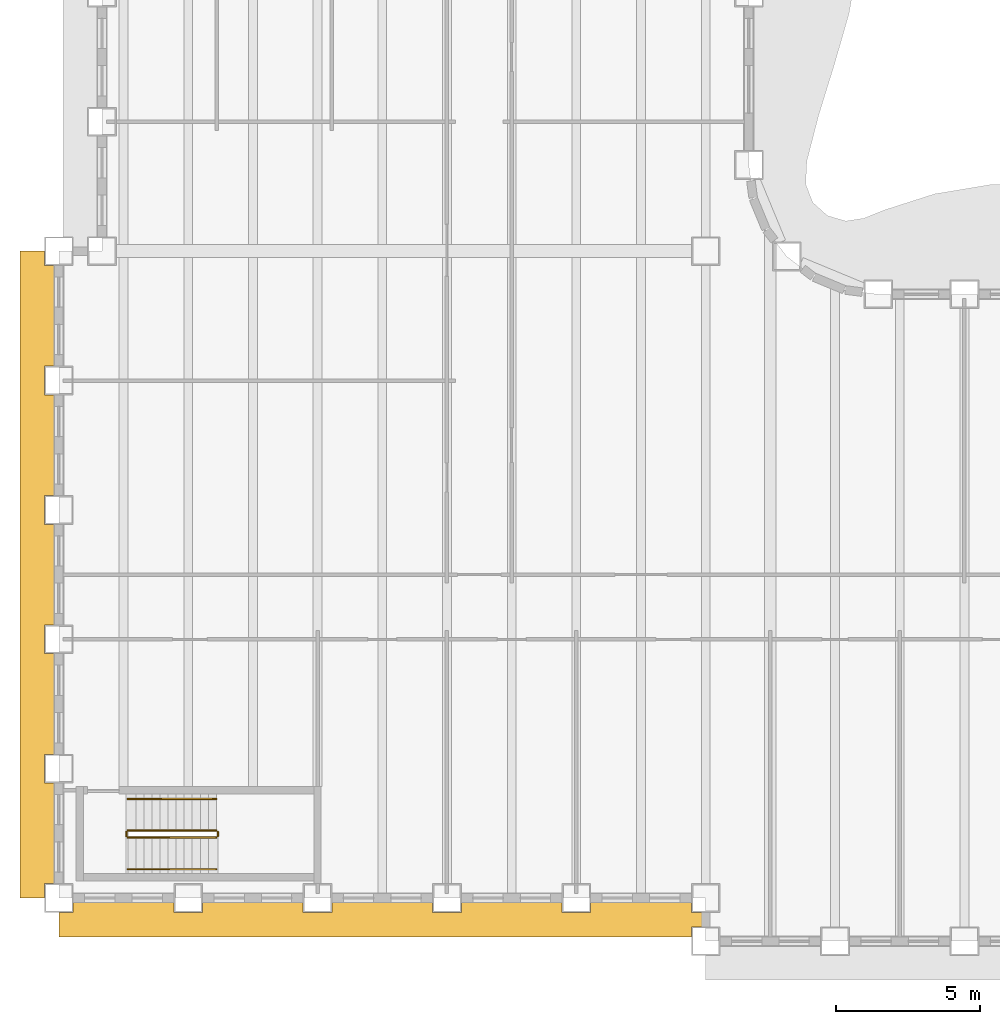
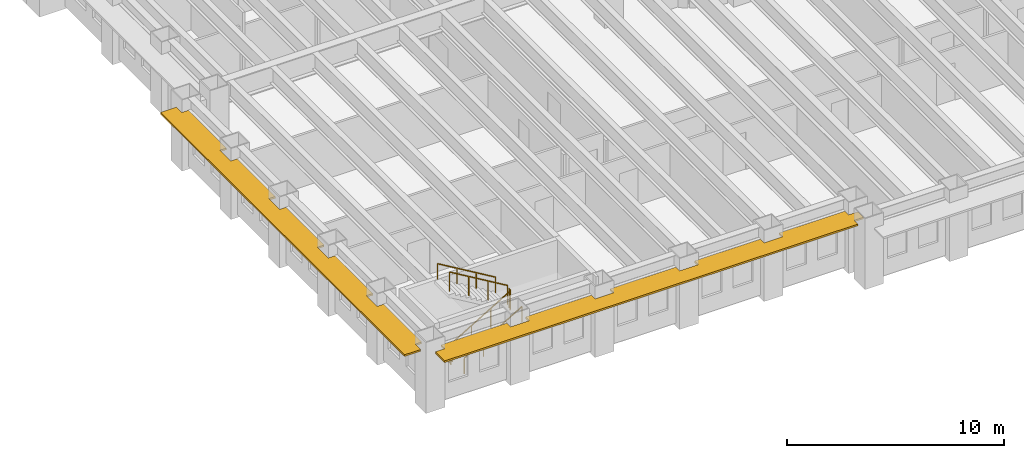
# One storey, part 11 of 16: 6 railings, 2 shading devices.
"""IFC4 building model written with IfcOpenShell, lengths in metres."""

import ifcopenshell
import ifcopenshell.guid

model = None  # the IFC model being written
_history = None  # IfcOwnerHistory: only IFC2X3 demands one
_inside = {}  # id of a spatial element -> (the spatial element, [elements in it])
_under = {}  # id of a project, library or spatial element -> (it, [spatial elements below it])
_declared = {}  # id of a project -> (the project, [libraries it declares])
_typed = {}  # id of a type object -> (the type object, [elements of that type])
_made_of = {}  # id of a material, layer set ... -> (it, [elements and type objects made of it])


def new_model(schema):
    """Start an empty IFC model of exactly this schema.

    Asked for "IFC4X3", IfcOpenShell would pick the latest addendum, in which some entities
    have other attributes; the version numbers below select the first issue.
    IFC2X3 requires an IfcOwnerHistory on every rooted entity: one is made here for all.
    """
    global model, _history
    if schema == "IFC4X3":
        model = ifcopenshell.file(schema_version=(4, 3, 0, 0))
    else:
        model = ifcopenshell.file(schema=schema)
    _inside.clear()
    _under.clear()
    _declared.clear()
    _typed.clear()
    _made_of.clear()
    _history = None
    if model.schema == "IFC2X3":
        org = make("IfcOrganization", Name="unknown")
        user = make(
            "IfcPersonAndOrganization",
            ThePerson=make("IfcPerson", FamilyName="unknown"),
            TheOrganization=org,
        )
        app = make(
            "IfcApplication",
            ApplicationDeveloper=org,
            Version="unknown",
            ApplicationFullName="unknown",
            ApplicationIdentifier="unknown",
        )
        _history = make(
            "IfcOwnerHistory",
            OwningUser=user,
            OwningApplication=app,
            ChangeAction="ADDED",
            CreationDate=0,
        )
    return model


def make(cls, **values):
    """One entity of the class cls with the attributes given. An attribute that is None is left unset."""
    return model.create_entity(
        cls, **{name: value for name, value in values.items() if value is not None}
    )


def rooted(cls, **values):
    """An entity with a GlobalId (a new one), such as an element, a storey or a relation."""
    return make(cls, GlobalId=ifcopenshell.guid.new(), OwnerHistory=_history, **values)


def si_unit(unit_type, name, prefix=None):
    """IfcSIUnit, for example si_unit("LENGTHUNIT", "METRE", prefix="MILLI")."""
    return make("IfcSIUnit", UnitType=unit_type, Prefix=prefix, Name=name)


def assignment(units):
    """IfcUnitAssignment: the units of a project."""
    return None if units is None else make("IfcUnitAssignment", Units=units)


def point(xyz):
    """IfcCartesianPoint."""
    return None if xyz is None else make("IfcCartesianPoint", Coordinates=xyz)


def direction(xyz):
    """IfcDirection."""
    return None if xyz is None else make("IfcDirection", DirectionRatios=xyz)


def frame(location, z_axis=None, x_axis=None):
    """IfcAxis2Placement3D, a coordinate frame: its origin and axes. An axis left out is left unset."""
    return make(
        "IfcAxis2Placement3D",
        Location=point(location),
        Axis=direction(z_axis),
        RefDirection=direction(x_axis),
    )


def frame_2d(location, x_axis=None):
    """IfcAxis2Placement2D, a coordinate frame in the plane: its origin and x axis."""
    return make(
        "IfcAxis2Placement2D", Location=point(location), RefDirection=direction(x_axis)
    )


def origin():
    """The frame at (0, 0, 0) with its axes left unset."""
    return frame((0.0, 0.0, 0.0))


def origin_2d():
    """The frame at (0, 0) in the plane with its x axis left unset."""
    return frame_2d((0.0, 0.0))


def place(relative_to, where):
    """IfcLocalPlacement: puts the frame where relative to a parent placement (None: the world)."""
    return make(
        "IfcLocalPlacement", PlacementRelTo=relative_to, RelativePlacement=where
    )


def context(
    kind, dimensions, precision=None, world=None, true_north=None, identifier=None
):
    """IfcGeometricRepresentationContext, for example the 3D "Model" context."""
    return make(
        "IfcGeometricRepresentationContext",
        ContextIdentifier=identifier,
        ContextType=kind,
        CoordinateSpaceDimension=dimensions,
        Precision=precision,
        WorldCoordinateSystem=world,
        TrueNorth=true_north,
    )


def subcontext(parent, identifier, kind, view, scale=None):
    """IfcGeometricRepresentationSubContext, for example "Body" below "Model"."""
    return make(
        "IfcGeometricRepresentationSubContext",
        ContextIdentifier=identifier,
        ContextType=kind,
        ParentContext=parent,
        TargetScale=scale,
        TargetView=view,
    )


def project(units=None, contexts=None):
    """IfcProject with its units and contexts."""
    return rooted(
        "IfcProject",
        Name="project",
        RepresentationContexts=contexts,
        UnitsInContext=assignment(units),
    )


def spatial(cls, under=None, at=None, **own):
    """A site, building, storey or space (cls), placed at a placement, below another one or the project."""
    s = rooted(cls, ObjectPlacement=at, **own)
    if under is not None:
        _under.setdefault(under.id(), (under, []))[1].append(s)
    return s


def polyline(points):
    """IfcPolyline through the points."""
    return make("IfcPolyline", Points=[point(p) for p in points])


def profile(cls, at=None, kind="AREA", **sizes):
    """A parametric profile (cls). Its sizes go by their IFC names, for example OverallWidth=200.0."""
    return make(cls, ProfileType=kind, Position=at, **sizes)


def rectangle(**sizes):
    """IfcRectangleProfileDef."""
    return profile("IfcRectangleProfileDef", **sizes)


def outline(outer, holes=None, kind="AREA"):
    """IfcArbitraryClosedProfileDef: a profile drawn as a closed curve; with holes, ...WithVoids."""
    if holes is None:
        return make("IfcArbitraryClosedProfileDef", ProfileType=kind, OuterCurve=outer)
    return make(
        "IfcArbitraryProfileDefWithVoids",
        ProfileType=kind,
        OuterCurve=outer,
        InnerCurves=holes,
    )


def extrude(swept, where, along, depth):
    """IfcExtrudedAreaSolid: the profile swept, set in the frame where, extruded along a direction by depth."""
    return make(
        "IfcExtrudedAreaSolid",
        SweptArea=swept,
        Position=where,
        ExtrudedDirection=direction(along),
        Depth=depth,
    )


def shape(context_of_items, identifier, shape_type, items):
    """IfcShapeRepresentation: the items that make up one representation, for example the "Body"."""
    return make(
        "IfcShapeRepresentation",
        ContextOfItems=context_of_items,
        RepresentationIdentifier=identifier,
        RepresentationType=shape_type,
        Items=items,
    )


def material(Name=None, Category=None):
    """IfcMaterial."""
    return make("IfcMaterial", Name=Name, Category=Category)


def layer(
    of_material, thickness, ventilated=None, Name=None, Category=None, Priority=None
):
    """IfcMaterialLayer: one layer of a wall or slab, of a material (None: an air gap)."""
    return make(
        "IfcMaterialLayer",
        Material=of_material,
        LayerThickness=thickness,
        IsVentilated=ventilated,
        Name=Name,
        Category=Category,
        Priority=Priority,
    )


def layer_set(layers, Name=None):
    """IfcMaterialLayerSet."""
    return make("IfcMaterialLayerSet", MaterialLayers=layers, LayerSetName=Name)


def made_of(thing, what):
    """Note that an element or type object is made of a material, layer set ...; save() writes the relation."""
    if what is not None:
        _made_of.setdefault(what.id(), (what, []))[1].append(thing)
    return thing


def type_object(cls, material=None, **own):
    """A type object (cls), such as IfcWallType, which elements share."""
    return made_of(rooted(cls, **own), material)


def element(
    cls,
    number,
    at=None,
    inside=None,
    cuts=None,
    type_object=None,
    material=None,
    context=None,
    identifier="Body",
    shape_type=None,
    held_by="IfcProductDefinitionShape",
    body=None,
    shapes=None,
    **own,
):
    """One element of the class cls, such as IfcWall. Its Tag is "e" and its number.

    at: its placement. inside: the storey or other place that contains it. cuts: it is an
    opening in that element (IfcRelVoidsElement). A single representation is given by context,
    identifier, shape_type and body (its items); several are given by shapes. held_by: the class
    of the entity that holds the representations. save() writes the other relations.
    """
    e = rooted(cls, Tag="e%d" % number, ObjectPlacement=at, **own)
    if body is not None:
        shapes = [shape(context, identifier, shape_type, body)]
    if shapes is not None:
        e.Representation = make(held_by, Representations=shapes)
    if inside is not None:
        _inside.setdefault(inside.id(), (inside, []))[1].append(e)
    if cuts is not None:
        rooted(
            "IfcRelVoidsElement", RelatingBuildingElement=cuts, RelatedOpeningElement=e
        )
    if type_object is not None:
        _typed.setdefault(type_object.id(), (type_object, []))[1].append(e)
    return made_of(e, material)


def aggregate(whole, parts):
    """IfcRelAggregates: a whole, such as a stair, and the parts it consists of."""
    return rooted("IfcRelAggregates", RelatingObject=whole, RelatedObjects=parts)


def save(model, path):
    """Write the relations noted so far, then the file.

    IfcRelAggregates (storeys below a building ...), IfcRelContainedInSpatialStructure (elements
    in a storey), IfcRelDefinesByType, IfcRelAssociatesMaterial and IfcRelDeclares: one each for
    every whole, place, type object, material and project.
    """
    for whole, parts in _under.values():
        aggregate(whole, parts)
    for where, things in _inside.values():
        rooted(
            "IfcRelContainedInSpatialStructure",
            RelatedElements=things,
            RelatingStructure=where,
        )
    for kind, things in _typed.values():
        rooted("IfcRelDefinesByType", RelatedObjects=things, RelatingType=kind)
    for what, things in _made_of.values():
        rooted("IfcRelAssociatesMaterial", RelatedObjects=things, RelatingMaterial=what)
    for by, libraries in _declared.values():
        rooted("IfcRelDeclares", RelatingContext=by, RelatedDefinitions=libraries)
    model.write(path)


model = new_model("IFC4")

# Units and contexts
model_context = context("Model", 3, precision=1e-05, world=origin(), true_north=direction((0.0, 1.0)))
body_context = subcontext(model_context, "Body", "Model", "MODEL_VIEW")
ifc_project = project(units=[si_unit("LENGTHUNIT", "METRE"), si_unit("AREAUNIT", "SQUARE_METRE"), si_unit("VOLUMEUNIT", "CUBIC_METRE"), si_unit("PLANEANGLEUNIT", "RADIAN"), si_unit("MASSUNIT", "GRAM", prefix="KILO")], contexts=[model_context])

# Site, building, storey
site_placement = place(None, origin())
site = spatial("IfcSite", under=ifc_project, at=site_placement, CompositionType="ELEMENT")
building_placement = place(site_placement, origin())
building = spatial("IfcBuilding", under=site, at=building_placement, Name="Sennacour Bend Tower", CompositionType="ELEMENT")
storey_placement = place(building_placement, frame((0.0, 0.0, 115.0)))
storey = spatial("IfcBuildingStorey", under=building, at=storey_placement, Name="L26", CompositionType="ELEMENT", Elevation=115.0)

# Railings
ifc_material_1 = material(Name="Stainless steel", Category="steel")
railing_type_1 = type_object("IfcRailingType", Name="RL-GUARD-1100", PredefinedType="GUARDRAIL", material=ifc_material_1)
railing_1_placement = place(storey_placement, frame((2.39990234375, 2.10009765625, 0.166748046875)))
element("IfcRailing", 1, at=railing_1_placement, inside=storey, type_object=railing_type_1, Name="L26 SK1 stair guard 1", PredefinedType="GUARDRAIL", context=body_context, shape_type="SweptSolid", body=[
    extrude(rectangle(XDim=0.048095703125, YDim=0.048095703125, at=origin_2d()), frame((0.0, 0.0, 1.076171875), z_axis=(0.859308565015, 0.0, 0.511457515432), x_axis=(0.0, 1.0, 0.0)), (0.0, 0.0, 1.0), 3.58447265625),
    extrude(rectangle(XDim=0.0419921875, YDim=0.0419921875, at=origin_2d()), origin(), (0.0, 0.0, 1.0), 1.052001953125),
    extrude(rectangle(XDim=0.0419921875, YDim=0.0419921875, at=origin_2d()), frame((1.026611328125, 0.0, 0.611083984375)), (0.0, 0.0, 1.0), 1.052001953125),
    extrude(rectangle(XDim=0.0419921875, YDim=0.0419921875, at=origin_2d()), frame((2.053466796875, 0.0, 1.22216796875)), (0.0, 0.0, 1.0), 1.052001953125),
    extrude(rectangle(XDim=0.0419921875, YDim=0.0419921875, at=origin_2d()), frame((3.080078125, 0.0, 1.833251953125)), (0.0, 0.0, 1.0), 1.052001953125),
])
railing_2_placement = place(storey_placement, frame((5.530029296875, 2.14990234375, 2.0)))
element("IfcRailing", 2, at=railing_2_placement, inside=storey, type_object=railing_type_1, Name="L26 SK1 stair guard 2", PredefinedType="GUARDRAIL", context=body_context, shape_type="SweptSolid", body=[
    extrude(rectangle(XDim=0.048095703125, YDim=0.048095703125, at=origin_2d()), frame((0.0, 0.0, 1.076171875), z_axis=(0.0, 1.0, 0.0), x_axis=(-1.0, 0.0, 0.0)), (0.0, 0.0, 1.0), 0.150146484375),
    extrude(rectangle(XDim=0.0419921875, YDim=0.0419921875, at=origin_2d()), origin(), (0.0, 0.0, 1.0), 1.052001953125),
    extrude(rectangle(XDim=0.0419921875, YDim=0.0419921875, at=origin_2d()), frame((0.0, 0.150146484375, 0.0)), (0.0, 0.0, 1.0), 1.052001953125),
])
railing_3_placement = place(storey_placement, frame((5.47998046875, 2.35009765625, 2.166748046875)))
element("IfcRailing", 3, at=railing_3_placement, inside=storey, type_object=railing_type_1, Name="L26 SK1 stair guard 3", PredefinedType="GUARDRAIL", context=body_context, shape_type="SweptSolid", body=[
    extrude(rectangle(XDim=0.048095703125, YDim=0.048095703125, at=origin_2d()), frame((0.0, 0.0, 1.076171875), z_axis=(-0.859308565015, 0.0, 0.511457515432), x_axis=(0.0, -1.0, 0.0)), (0.0, 0.0, 1.0), 3.58447265625),
    extrude(rectangle(XDim=0.0419921875, YDim=0.0419921875, at=origin_2d()), origin(), (0.0, 0.0, 1.0), 1.052001953125),
    extrude(rectangle(XDim=0.0419921875, YDim=0.0419921875, at=origin_2d()), frame((-1.026611328125, 0.0, 0.611083984375)), (0.0, 0.0, 1.0), 1.052001953125),
    extrude(rectangle(XDim=0.0419921875, YDim=0.0419921875, at=origin_2d()), frame((-2.053466796875, 0.0, 1.22216796875)), (0.0, 0.0, 1.0), 1.052001953125),
    extrude(rectangle(XDim=0.0419921875, YDim=0.0419921875, at=origin_2d()), frame((-3.080078125, 0.0, 1.833251953125)), (0.0, 0.0, 1.0), 1.052001953125),
])
railing_4_placement = place(storey_placement, frame((2.35009765625, 2.14990234375, 0.0)))
element("IfcRailing", 4, at=railing_4_placement, inside=storey, type_object=railing_type_1, Name="L26 SK1 stair guard 4", PredefinedType="GUARDRAIL", context=body_context, shape_type="SweptSolid", body=[
    extrude(rectangle(XDim=0.048095703125, YDim=0.048095703125, at=origin_2d()), frame((0.0, 0.0, 1.076171875), z_axis=(0.0, 1.0, 0.0), x_axis=(-1.0, 0.0, 0.0)), (0.0, 0.0, 1.0), 0.150146484375),
    extrude(rectangle(XDim=0.0419921875, YDim=0.0419921875, at=origin_2d()), origin(), (0.0, 0.0, 1.0), 1.052001953125),
    extrude(rectangle(XDim=0.0419921875, YDim=0.0419921875, at=origin_2d()), frame((0.0, 0.150146484375, 0.0)), (0.0, 0.0, 1.0), 1.052001953125),
])
railing_type_2 = type_object("IfcRailingType", Name="RL-HANDRAIL-900", PredefinedType="HANDRAIL", material=ifc_material_1)
railing_5_placement = place(storey_placement, frame((2.39990234375, 1.0, 0.166748046875)))
element("IfcRailing", 5, at=railing_5_placement, inside=storey, type_object=railing_type_2, Name="L26 SK1 stair handrail 1", PredefinedType="HANDRAIL", context=body_context, shape_type="SweptSolid", body=[
    extrude(rectangle(XDim=0.048095703125, YDim=0.048095703125, at=origin_2d()), frame((0.0, 0.0, 0.8759765625), z_axis=(0.859308565015, 0.0, 0.511457515432), x_axis=(0.0, 1.0, 0.0)), (0.0, 0.0, 1.0), 3.58447265625),
    extrude(rectangle(XDim=0.0419921875, YDim=0.0419921875, at=origin_2d()), origin(), (0.0, 0.0, 1.0), 0.851806640625),
    extrude(rectangle(XDim=0.0419921875, YDim=0.0419921875, at=origin_2d()), frame((1.026611328125, 0.0, 0.611083984375)), (0.0, 0.0, 1.0), 0.851806640625),
    extrude(rectangle(XDim=0.0419921875, YDim=0.0419921875, at=origin_2d()), frame((2.053466796875, 0.0, 1.22216796875)), (0.0, 0.0, 1.0), 0.851806640625),
    extrude(rectangle(XDim=0.0419921875, YDim=0.0419921875, at=origin_2d()), frame((3.080078125, 0.0, 1.833251953125)), (0.0, 0.0, 1.0), 0.851806640625),
])
railing_6_placement = place(storey_placement, frame((5.47998046875, 3.449951171875, 2.166748046875)))
element("IfcRailing", 6, at=railing_6_placement, inside=storey, type_object=railing_type_2, Name="L26 SK1 stair handrail 2", PredefinedType="HANDRAIL", context=body_context, shape_type="SweptSolid", body=[
    extrude(rectangle(XDim=0.048095703125, YDim=0.048095703125, at=origin_2d()), frame((0.0, 0.0, 0.8759765625), z_axis=(-0.859308565015, 0.0, 0.511457515432), x_axis=(0.0, -1.0, 0.0)), (0.0, 0.0, 1.0), 3.58447265625),
    extrude(rectangle(XDim=0.0419921875, YDim=0.0419921875, at=origin_2d()), origin(), (0.0, 0.0, 1.0), 0.851806640625),
    extrude(rectangle(XDim=0.0419921875, YDim=0.0419921875, at=origin_2d()), frame((-1.026611328125, 0.0, 0.611083984375)), (0.0, 0.0, 1.0), 0.851806640625),
    extrude(rectangle(XDim=0.0419921875, YDim=0.0419921875, at=origin_2d()), frame((-2.053466796875, 0.0, 1.22216796875)), (0.0, 0.0, 1.0), 0.851806640625),
    extrude(rectangle(XDim=0.0419921875, YDim=0.0419921875, at=origin_2d()), frame((-3.080078125, 0.0, 1.833251953125)), (0.0, 0.0, 1.0), 0.851806640625),
])

# Shading devices
ifc_material_2 = material(Name="Bronze anodised aluminium", Category="aluminium")
ifc_layer = layer(ifc_material_2, 0.10009765625, Name="Bronze anodised aluminium", Category="aluminium")
ifc_layer_set = layer_set([ifc_layer], Name="Bronze anodised aluminium")
shading_device_type = type_object("IfcShadingDeviceType", Name="SUNSHADE BAND STRAIGHT", PredefinedType="USERDEFINED", material=ifc_layer_set)
shading_device_1_placement = place(storey_placement, frame((0.0, 0.0, 3.053955078125)))
element("IfcShadingDevice", 7, at=shading_device_1_placement, inside=storey, type_object=shading_device_type, Name="Sunshade band L26 K outer face", ObjectType="SUNSHADE", PredefinedType="USERDEFINED", context=body_context, shape_type="SweptSolid", body=[
    extrude(outline(polyline([(-0.14990234375, 18.5), (-0.5, 18.5), (-0.5, 17.5), (-0.14990234375, 17.5), (-0.14990234375, 14.0), (-0.5, 14.0), (-0.5, 13.0), (-0.14990234375, 13.0), (-0.14990234375, 9.5), (-0.5, 9.5), (-0.5, 8.5), (-0.14990234375, 8.5), (-0.14990234375, 5.0), (-0.5, 5.0), (-0.5, 4.0), (-0.14990234375, 4.0), (-0.14990234375, 0.5), (-0.5, 0.5), (-0.5, 0.0), (-1.35009765625, 0.0), (-1.35009765625, 22.5), (-0.5, 22.5), (-0.5, 22.0), (-0.14990234375, 22.0), (-0.14990234375, 18.5)])), origin(), (0.0, 0.0, 1.0), 0.10009765625),
])
shading_device_2_placement = place(storey_placement, frame((0.0, 0.0, 3.053955078125)))
element("IfcShadingDevice", 8, at=shading_device_2_placement, inside=storey, type_object=shading_device_type, Name="Sunshade band L26 K outer face", ObjectType="SUNSHADE", PredefinedType="USERDEFINED", context=body_context, shape_type="SweptSolid", body=[
    extrude(outline(polyline([(4.0, -0.14990234375), (4.0, -0.5), (5.0, -0.5), (5.0, -0.14990234375), (8.5, -0.14990234375), (8.5, -0.5), (9.5, -0.5), (9.5, -0.14990234375), (13.0, -0.14990234375), (13.0, -0.5), (14.0, -0.5), (14.0, -0.14990234375), (17.5, -0.14990234375), (17.5, -0.5), (18.5, -0.5), (18.5, -0.14990234375), (22.0, -0.14990234375), (22.0, -0.5), (22.5, -0.5), (22.5, -1.0), (22.0, -1.0), (22.0, -1.35009765625), (0.0, -1.35009765625), (0.0, -0.5), (0.5, -0.5), (0.5, -0.14990234375), (4.0, -0.14990234375)])), origin(), (0.0, 0.0, 1.0), 0.10009765625),
])

save(model, "model.ifc")
